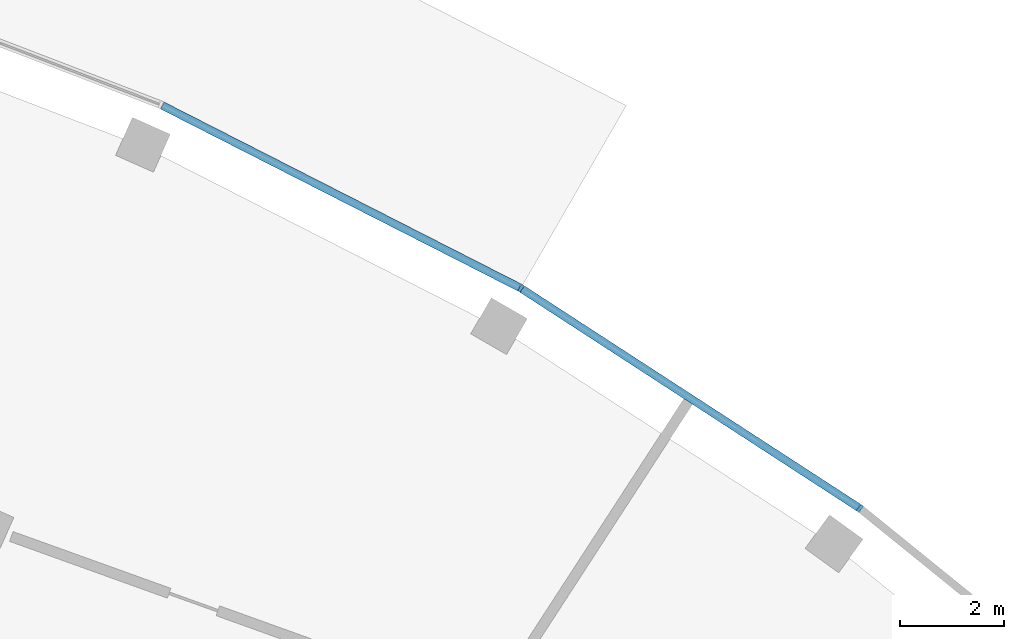
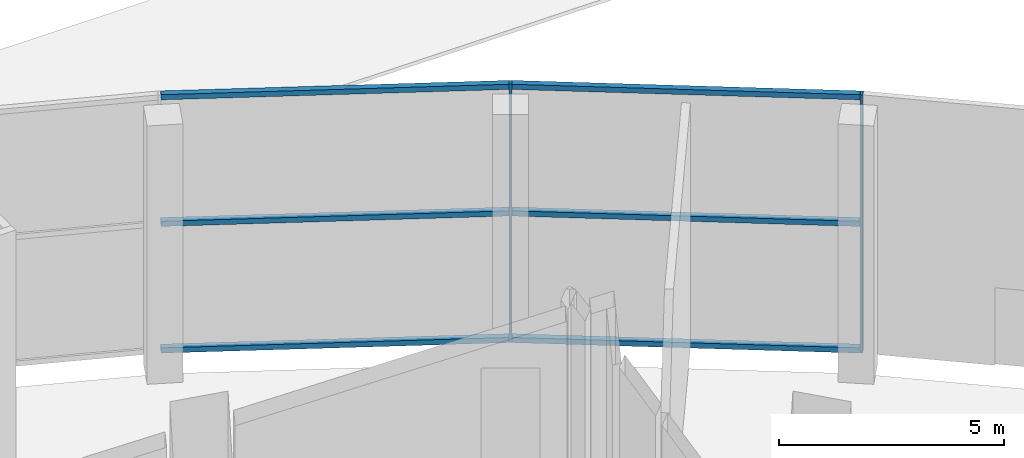
# One storey, part 16 of 60: 8 members, 1 element without a shape of its own.
"""IFC4 building model written with IfcOpenShell, lengths in metres."""

from ifc_helpers import new_model, si_unit, direction, frame, origin, origin_2d, place, context, subcontext, project, spatial, rectangle, extrude, material, layer, layer_set, material_profile, profile_set, type_object, element, aggregate, save


model = new_model("IFC4")

# Units and contexts
model_context = context("Model", 3, precision=1e-05, world=origin(), true_north=direction((0.0, 1.0)))
body_context = subcontext(model_context, "Body", "Model", "MODEL_VIEW")
ifc_project = project(units=[si_unit("LENGTHUNIT", "METRE"), si_unit("AREAUNIT", "SQUARE_METRE"), si_unit("VOLUMEUNIT", "CUBIC_METRE"), si_unit("PLANEANGLEUNIT", "RADIAN"), si_unit("MASSUNIT", "GRAM", prefix="KILO")], contexts=[model_context])

# Site, building, storey
site_placement = place(None, origin())
site = spatial("IfcSite", under=ifc_project, at=site_placement, CompositionType="ELEMENT")
building_placement = place(site_placement, origin())
building = spatial("IfcBuilding", under=site, at=building_placement, Name="Stone Belt Terrace Tower", CompositionType="ELEMENT")
storey_placement = place(building_placement, origin())
storey = spatial("IfcBuildingStorey", under=building, at=storey_placement, Name="L00", CompositionType="ELEMENT", Elevation=0.0)

# Curtain wall, members
ifc_material = material(Name="Aluminium 6063-T6 anodised frame", Category="aluminium")
ifc_layer = layer(ifc_material, 0.14990234375)
ifc_layer_set = layer_set([ifc_layer], Name="CW-D podium shopfront")
curtain_wall_type = type_object("IfcCurtainWallType", Name="CW-D podium shopfront", PredefinedType="NOTDEFINED", material=ifc_layer_set)
curtain_wall_placement = place(storey_placement, origin())
curtain_wall = element("IfcCurtainWall", 1, at=curtain_wall_placement, inside=storey, type_object=curtain_wall_type, Name="CW-D convex face L00", PredefinedType="NOTDEFINED")
ifc_material_profile_1 = material_profile(ifc_material, rectangle(XDim=0.14990234375, YDim=0.06005859375, at=origin_2d()), Name="Aluminium 6063-T6 60x150")
ifc_profile_set_1 = profile_set([ifc_material_profile_1], Name="Aluminium 6063-T6 anodised frame")
member_type_1 = type_object("IfcMemberType", Name="CW-D mullion 60 x 150", PredefinedType="MULLION", material=ifc_profile_set_1)
member_1_placement = place(storey_placement, frame((43.834228515625, 60.33251953125, 0.0), z_axis=(0.0, 0.0, 1.0), x_axis=(-0.587785252292, -0.809016994375, 0.0)))
member_1 = element("IfcMember", 2, at=member_1_placement, type_object=member_type_1, Name="CW-D mullion 7", PredefinedType="MULLION", context=body_context, shape_type="SweptSolid", body=[
    extrude(rectangle(XDim=0.14990234375, YDim=0.06005859375, at=origin_2d()), origin(), (0.0, 0.0, 1.0), 7.0),
])
member_2_placement = place(storey_placement, frame((37.28759765625, 64.583984375, 0.0), z_axis=(0.0, 0.0, 1.0), x_axis=(-0.5, -0.866025403784, 0.0)))
member_2 = element("IfcMember", 3, at=member_2_placement, type_object=member_type_1, Name="CW-D mullion 8", PredefinedType="MULLION", context=body_context, shape_type="SweptSolid", body=[
    extrude(rectangle(XDim=0.14990234375, YDim=0.06005859375, at=origin_2d()), origin(), (0.0, 0.0, 1.0), 7.0),
])
ifc_material_profile_2 = material_profile(ifc_material, rectangle(XDim=0.14990234375, YDim=0.139892578125, at=origin_2d()), Name="Aluminium 6063-T6 150x140")
ifc_profile_set_2 = profile_set([ifc_material_profile_2], Name="Aluminium 6063-T6 anodised frame")
member_type_2 = type_object("IfcMemberType", Name="CW-D transom 140 x 150", PredefinedType="USERDEFINED", material=ifc_profile_set_2)
member_3_placement = place(storey_placement, frame((43.8056640625, 60.35107421875, 0.070068359375), z_axis=(-0.83867853224, 0.54462677088, 0.0), x_axis=(-0.54462677088, -0.83867853224, 0.0)))
member_3 = element("IfcMember", 4, at=member_3_placement, type_object=member_type_2, Name="CW-D transom 7.1", ObjectType="TRANSOM", PredefinedType="USERDEFINED", context=body_context, shape_type="SweptSolid", body=[
    extrude(rectangle(XDim=0.14990234375, YDim=0.139892578125, at=origin_2d()), origin(), (0.0, 0.0, 1.0), 7.738037109375),
])
member_4_placement = place(storey_placement, frame((43.8056640625, 60.35107421875, 3.5), z_axis=(-0.83867853224, 0.54462677088, 0.0), x_axis=(-0.54462677088, -0.83867853224, 0.0)))
member_4 = element("IfcMember", 5, at=member_4_placement, type_object=member_type_2, Name="CW-D transom 7.2", ObjectType="TRANSOM", PredefinedType="USERDEFINED", context=body_context, shape_type="SweptSolid", body=[
    extrude(rectangle(XDim=0.14990234375, YDim=0.139892578125, at=origin_2d()), origin(), (0.0, 0.0, 1.0), 7.738037109375),
])
member_5_placement = place(storey_placement, frame((43.8056640625, 60.35107421875, 6.929931640625), z_axis=(-0.83867853224, 0.54462677088, 0.0), x_axis=(-0.54462677088, -0.83867853224, 0.0)))
member_5 = element("IfcMember", 6, at=member_5_placement, type_object=member_type_2, Name="CW-D transom 7.3", ObjectType="TRANSOM", PredefinedType="USERDEFINED", context=body_context, shape_type="SweptSolid", body=[
    extrude(rectangle(XDim=0.14990234375, YDim=0.139892578125, at=origin_2d()), origin(), (0.0, 0.0, 1.0), 7.738037109375),
])
member_6_placement = place(storey_placement, frame((37.25732421875, 64.599365234375, 0.070068359375), z_axis=(-0.891013010183, 0.453977770034, 0.0), x_axis=(-0.453977770034, -0.891013010183, 0.0)))
member_6 = element("IfcMember", 7, at=member_6_placement, type_object=member_type_2, Name="CW-D transom 8.1", ObjectType="TRANSOM", PredefinedType="USERDEFINED", context=body_context, shape_type="SweptSolid", body=[
    extrude(rectangle(XDim=0.14990234375, YDim=0.139892578125, at=origin_2d()), origin(), (0.0, 0.0, 1.0), 7.738037109375),
])
member_7_placement = place(storey_placement, frame((37.25732421875, 64.599365234375, 3.5), z_axis=(-0.891013010183, 0.453977770034, 0.0), x_axis=(-0.453977770034, -0.891013010183, 0.0)))
member_7 = element("IfcMember", 8, at=member_7_placement, type_object=member_type_2, Name="CW-D transom 8.2", ObjectType="TRANSOM", PredefinedType="USERDEFINED", context=body_context, shape_type="SweptSolid", body=[
    extrude(rectangle(XDim=0.14990234375, YDim=0.139892578125, at=origin_2d()), origin(), (0.0, 0.0, 1.0), 7.738037109375),
])
member_8_placement = place(storey_placement, frame((37.25732421875, 64.599365234375, 6.929931640625), z_axis=(-0.891013010183, 0.453977770034, 0.0), x_axis=(-0.453977770034, -0.891013010183, 0.0)))
member_8 = element("IfcMember", 9, at=member_8_placement, type_object=member_type_2, Name="CW-D transom 8.3", ObjectType="TRANSOM", PredefinedType="USERDEFINED", context=body_context, shape_type="SweptSolid", body=[
    extrude(rectangle(XDim=0.14990234375, YDim=0.139892578125, at=origin_2d()), origin(), (0.0, 0.0, 1.0), 7.738037109375),
])
aggregate(curtain_wall, [member_1, member_2, member_3, member_4, member_5, member_6, member_7, member_8])

save(model, "model.ifc")
